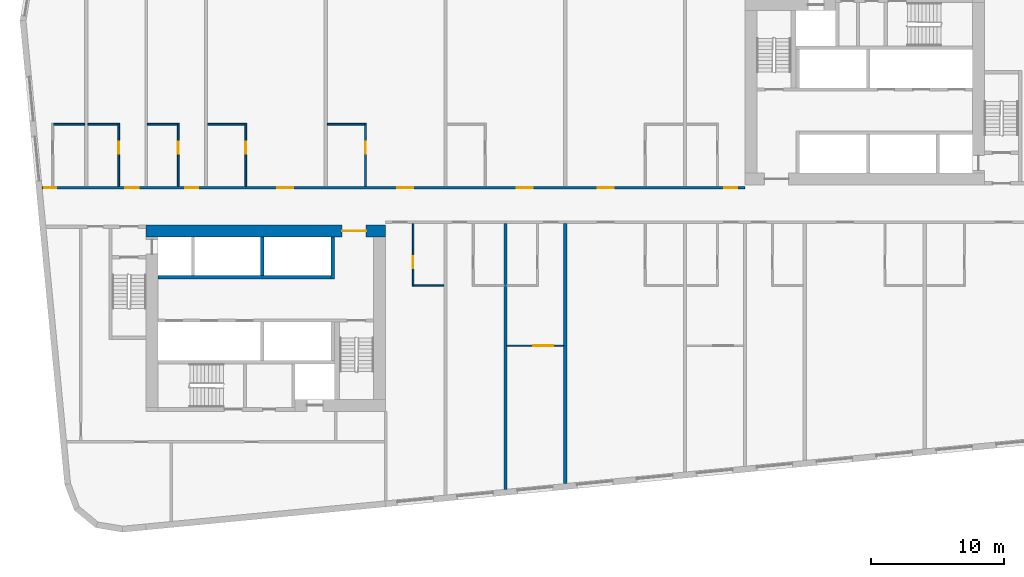
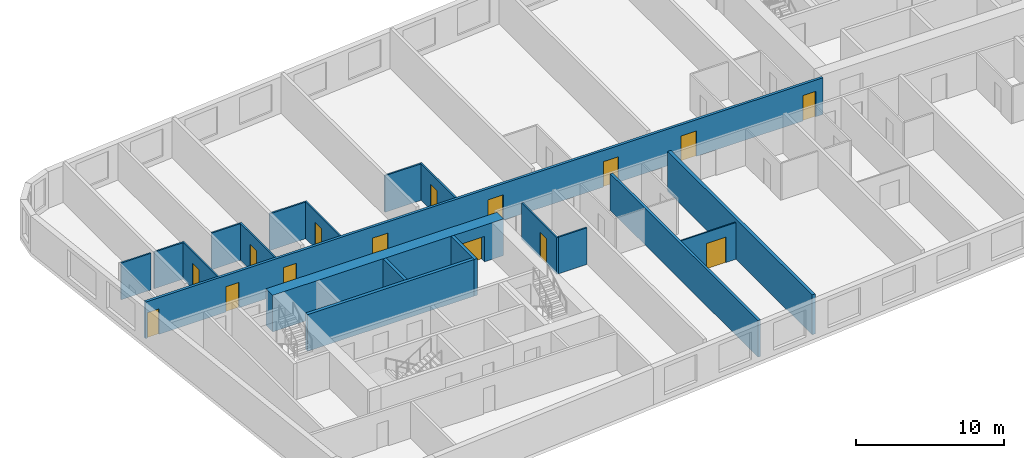
# One storey, part 3 of 12: 19 walls, 15 doors, 15 openings.
"""IFC4 building model written with IfcOpenShell, lengths in metres."""

from ifc_helpers import new_model, si_unit, direction, frame, frame_2d, origin, place, context, subcontext, project, spatial, rectangle, extrude, material, layer, layer_set, type_object, element, fill, save


model = new_model("IFC4")

# Units and contexts
model_context = context("Model", 3, precision=1e-05, world=origin(), true_north=direction((0.0, 1.0)))
body_context = subcontext(model_context, "Body", "Model", "MODEL_VIEW")
ifc_project = project(units=[si_unit("LENGTHUNIT", "METRE"), si_unit("AREAUNIT", "SQUARE_METRE"), si_unit("VOLUMEUNIT", "CUBIC_METRE"), si_unit("PLANEANGLEUNIT", "RADIAN"), si_unit("MASSUNIT", "GRAM", prefix="KILO")], contexts=[model_context])

# Site, building, storey
site_placement = place(None, origin())
site = spatial("IfcSite", under=ifc_project, at=site_placement, CompositionType="ELEMENT")
building_placement = place(site_placement, origin())
building = spatial("IfcBuilding", under=site, at=building_placement, Name="Kajstack Hotel Tower", CompositionType="ELEMENT")
storey_placement = place(building_placement, frame((0.0, 0.0, 117.39990234375)))
storey = spatial("IfcBuildingStorey", under=building, at=storey_placement, Name="L25", CompositionType="ELEMENT", Elevation=117.39990234375)

# Wall, opening, door
ifc_material_1 = material(Name="Concrete C60/75", Category="concrete")
ifc_layer_1 = layer(ifc_material_1, 0.89990234375)
ifc_layer_set_1 = layer_set([ifc_layer_1], Name="Core wall 900")
wall_type_1 = type_object("IfcWallType", Name="Core wall 900", PredefinedType="SHEAR", material=ifc_layer_set_1)
wall_1_placement = place(storey_placement, frame((-31.5, -1.949951171875, 0.0), z_axis=(0.0, 0.0, 1.0), x_axis=(1.0, 0.0, 0.0)))
wall_1 = element("IfcWall", 1, at=wall_1_placement, inside=storey, type_object=wall_type_1, Name="Core wall W RN", PredefinedType="SHEAR", context=body_context, shape_type="SweptSolid", body=[
    extrude(rectangle(XDim=18.0, YDim=0.89990234375, at=frame_2d((9.0, 0.0))), origin(), (0.0, 0.0, 1.0), 3.02001953125),
])
opening_1_placement = place(wall_1_placement, frame((14.72509765625, 0.0, 0.0)))
opening_1 = element("IfcOpeningElement", 2, at=opening_1_placement, cuts=wall_1, Name="Opening 25W06", PredefinedType="OPENING", context=body_context, shape_type="SweptSolid", body=[
    extrude(rectangle(XDim=1.800048828125, YDim=2.10009765625, at=frame_2d((0.89990234375, 1.050048828125))), frame((0.0, 0.4599609375, 0.0), z_axis=(0.0, -1.0, 0.0), x_axis=(1.0, 0.0, 0.0)), (0.0, 0.0, 1.0), 0.919921875),
])
ifc_material_2 = material(Name="Glazed steel frame, fire-rated glass", Category="steel")
door_type_1 = type_object("IfcDoorType", Name="Lobby double door 1800", OperationType="DOUBLE_DOOR_DOUBLE_SWING", PredefinedType="DOOR", material=ifc_material_2)
door_1_placement = place(opening_1_placement, origin())
door_1 = element("IfcDoor", 3, at=door_1_placement, inside=storey, type_object=door_type_1, Name="Door 25W06", OperationType="DOUBLE_DOOR_DOUBLE_SWING", OverallHeight=2.10009765625, OverallWidth=1.800048828125, PredefinedType="DOOR", context=body_context, shape_type="SweptSolid", body=[
    extrude(rectangle(XDim=1.800048828125, YDim=2.10009765625, at=frame_2d((0.89990234375, 1.050048828125))), frame((0.0, 0.02490234375, 0.0), z_axis=(0.0, -1.0, 0.0), x_axis=(1.0, 0.0, 0.0)), (0.0, 0.0, 1.0), 0.050048828125),
])
fill(opening_1, door_1)

# Wall, openings, doors
ifc_material_3 = material(Name="Gypsum board on steel studs, mineral wool", Category="steel")
ifc_layer_2 = layer(ifc_material_3, 0.199951171875)
ifc_layer_set_2 = layer_set([ifc_layer_2], Name="Corridor wall 200")
wall_type_2 = type_object("IfcWallType", Name="Corridor wall 200", PredefinedType="PARTITIONING", material=ifc_layer_set_2)
wall_2_placement = place(storey_placement, frame((-39.31591796875, 1.300048828125, 0.0), z_axis=(0.0, 0.0, 1.0), x_axis=(1.0, 0.0, 0.0)))
wall_2 = element("IfcWall", 4, at=wall_2_placement, inside=storey, type_object=wall_type_2, Name="G-wall-L25-003", PredefinedType="PARTITIONING", context=body_context, shape_type="SweptSolid", body=[
    extrude(rectangle(XDim=52.81591796875, YDim=0.199951171875, at=frame_2d((26.407958984375, 0.0))), origin(), (0.0, 0.0, 1.0), 3.02001953125),
])
opening_2_placement = place(wall_2_placement, frame((0.14990234375, 0.0, 0.0)))
opening_2 = element("IfcOpeningElement", 5, at=opening_2_placement, cuts=wall_2, Name="Opening 25001", PredefinedType="OPENING", context=body_context, shape_type="SweptSolid", body=[
    extrude(rectangle(XDim=0.89990234375, YDim=2.10009765625, at=frame_2d((0.449951171875, 1.050048828125))), frame((0.0, 0.10986328125, 0.0), z_axis=(0.0, -1.0, 0.0), x_axis=(1.0, 0.0, 0.0)), (0.0, 0.0, 1.0), 0.219970703125),
])
opening_3_placement = place(wall_2_placement, frame((6.26611328125, 0.0, 0.0)))
opening_3 = element("IfcOpeningElement", 6, at=opening_3_placement, cuts=wall_2, Name="Opening 25003", PredefinedType="OPENING", context=body_context, shape_type="SweptSolid", body=[
    extrude(rectangle(XDim=1.0, YDim=2.10009765625, at=frame_2d((0.5, 1.050048828125))), frame((0.0, 0.10986328125, 0.0), z_axis=(0.0, -1.0, 0.0), x_axis=(1.0, 0.0, 0.0)), (0.0, 0.0, 1.0), 0.219970703125),
])
opening_4_placement = place(wall_2_placement, frame((10.740966796875, 0.0, 0.0)))
opening_4 = element("IfcOpeningElement", 7, at=opening_4_placement, cuts=wall_2, Name="Opening 25005", PredefinedType="OPENING", context=body_context, shape_type="SweptSolid", body=[
    extrude(rectangle(XDim=1.0, YDim=2.10009765625, at=frame_2d((0.5, 1.050048828125))), frame((0.0, 0.10986328125, 0.0), z_axis=(0.0, -1.0, 0.0), x_axis=(1.0, 0.0, 0.0)), (0.0, 0.0, 1.0), 0.219970703125),
])
opening_5_placement = place(wall_2_placement, frame((17.677978515625, 0.0, 0.0)))
opening_5 = element("IfcOpeningElement", 8, at=opening_5_placement, cuts=wall_2, Name="Opening 25007", PredefinedType="OPENING", context=body_context, shape_type="SweptSolid", body=[
    extrude(rectangle(XDim=1.199951171875, YDim=2.10009765625, at=frame_2d((0.60009765625, 1.050048828125))), frame((0.0, 0.10986328125, 0.0), z_axis=(0.0, -1.0, 0.0), x_axis=(1.0, 0.0, 0.0)), (0.0, 0.0, 1.0), 0.219970703125),
])
opening_6_placement = place(wall_2_placement, frame((26.677978515625, 0.0, 0.0)))
opening_6 = element("IfcOpeningElement", 9, at=opening_6_placement, cuts=wall_2, Name="Opening 25009", PredefinedType="OPENING", context=body_context, shape_type="SweptSolid", body=[
    extrude(rectangle(XDim=1.199951171875, YDim=2.10009765625, at=frame_2d((0.60009765625, 1.050048828125))), frame((0.0, 0.10986328125, 0.0), z_axis=(0.0, -1.0, 0.0), x_axis=(1.0, 0.0, 0.0)), (0.0, 0.0, 1.0), 0.219970703125),
])
opening_7_placement = place(wall_2_placement, frame((35.677978515625, 0.0, 0.0)))
opening_7 = element("IfcOpeningElement", 10, at=opening_7_placement, cuts=wall_2, Name="Opening 25011", PredefinedType="OPENING", context=body_context, shape_type="SweptSolid", body=[
    extrude(rectangle(XDim=1.199951171875, YDim=2.10009765625, at=frame_2d((0.60009765625, 1.050048828125))), frame((0.0, 0.10986328125, 0.0), z_axis=(0.0, -1.0, 0.0), x_axis=(1.0, 0.0, 0.0)), (0.0, 0.0, 1.0), 0.219970703125),
])
opening_8_placement = place(wall_2_placement, frame((41.75390625, 0.0, 0.0)))
opening_8 = element("IfcOpeningElement", 11, at=opening_8_placement, cuts=wall_2, Name="Opening 25013", PredefinedType="OPENING", context=body_context, shape_type="SweptSolid", body=[
    extrude(rectangle(XDim=1.199951171875, YDim=2.10009765625, at=frame_2d((0.60009765625, 1.050048828125))), frame((0.0, 0.10986328125, 0.0), z_axis=(0.0, -1.0, 0.0), x_axis=(1.0, 0.0, 0.0)), (0.0, 0.0, 1.0), 0.219970703125),
])
opening_9_placement = place(wall_2_placement, frame((51.240966796875, 0.0, 0.0)))
opening_9 = element("IfcOpeningElement", 12, at=opening_9_placement, cuts=wall_2, Name="Opening 25015", PredefinedType="OPENING", context=body_context, shape_type="SweptSolid", body=[
    extrude(rectangle(XDim=1.0, YDim=2.10009765625, at=frame_2d((0.5, 1.050048828125))), frame((0.0, 0.10986328125, 0.0), z_axis=(0.0, -1.0, 0.0), x_axis=(1.0, 0.0, 0.0)), (0.0, 0.0, 1.0), 0.219970703125),
])
ifc_material_4 = material(Name="Oak veneer on timber core, fire-rated leaf", Category="wood")
door_type_2 = type_object("IfcDoorType", Name="Flat entrance door 1000", OperationType="SINGLE_SWING_LEFT", PredefinedType="DOOR", material=ifc_material_4)
door_2_placement = place(opening_3_placement, origin())
door_2 = element("IfcDoor", 13, at=door_2_placement, inside=storey, type_object=door_type_2, Name="G-door-L25-03", OperationType="SINGLE_SWING_LEFT", OverallHeight=2.10009765625, OverallWidth=1.0, PredefinedType="DOOR", context=body_context, shape_type="SweptSolid", body=[
    extrude(rectangle(XDim=1.0, YDim=2.10009765625, at=frame_2d((0.5, 1.050048828125))), frame((0.0, 0.02490234375, 0.0), z_axis=(0.0, -1.0, 0.0), x_axis=(1.0, 0.0, 0.0)), (0.0, 0.0, 1.0), 0.050048828125),
])
fill(opening_3, door_2)
door_3_placement = place(opening_4_placement, origin())
door_3 = element("IfcDoor", 14, at=door_3_placement, inside=storey, type_object=door_type_2, Name="G-door-L25-05", OperationType="SINGLE_SWING_RIGHT", OverallHeight=2.10009765625, OverallWidth=1.0, PredefinedType="DOOR", context=body_context, shape_type="SweptSolid", body=[
    extrude(rectangle(XDim=1.0, YDim=2.10009765625, at=frame_2d((0.5, 1.050048828125))), frame((0.0, 0.02490234375, 0.0), z_axis=(0.0, -1.0, 0.0), x_axis=(1.0, 0.0, 0.0)), (0.0, 0.0, 1.0), 0.050048828125),
])
fill(opening_4, door_3)
door_4_placement = place(opening_9_placement, origin())
door_4 = element("IfcDoor", 15, at=door_4_placement, inside=storey, type_object=door_type_2, Name="G-door-L25-15", OperationType="SINGLE_SWING_RIGHT", OverallHeight=2.10009765625, OverallWidth=1.0, PredefinedType="DOOR", context=body_context, shape_type="SweptSolid", body=[
    extrude(rectangle(XDim=1.0, YDim=2.10009765625, at=frame_2d((0.5, 1.050048828125))), frame((0.0, 0.02490234375, 0.0), z_axis=(0.0, -1.0, 0.0), x_axis=(1.0, 0.0, 0.0)), (0.0, 0.0, 1.0), 0.050048828125),
])
fill(opening_9, door_4)
door_type_3 = type_object("IfcDoorType", Name="Flat entrance door 1200", OperationType="SINGLE_SWING_LEFT", PredefinedType="DOOR", material=ifc_material_4)
door_5_placement = place(opening_5_placement, origin())
door_5 = element("IfcDoor", 16, at=door_5_placement, inside=storey, type_object=door_type_3, Name="G-door-L25-07", OperationType="SINGLE_SWING_LEFT", OverallHeight=2.10009765625, OverallWidth=1.199951171875, PredefinedType="DOOR", context=body_context, shape_type="SweptSolid", body=[
    extrude(rectangle(XDim=1.199951171875, YDim=2.10009765625, at=frame_2d((0.60009765625, 1.050048828125))), frame((0.0, 0.02490234375, 0.0), z_axis=(0.0, -1.0, 0.0), x_axis=(1.0, 0.0, 0.0)), (0.0, 0.0, 1.0), 0.050048828125),
])
fill(opening_5, door_5)
door_6_placement = place(opening_6_placement, origin())
door_6 = element("IfcDoor", 17, at=door_6_placement, inside=storey, type_object=door_type_3, Name="G-door-L25-09", OperationType="SINGLE_SWING_RIGHT", OverallHeight=2.10009765625, OverallWidth=1.199951171875, PredefinedType="DOOR", context=body_context, shape_type="SweptSolid", body=[
    extrude(rectangle(XDim=1.199951171875, YDim=2.10009765625, at=frame_2d((0.60009765625, 1.050048828125))), frame((0.0, 0.02490234375, 0.0), z_axis=(0.0, -1.0, 0.0), x_axis=(1.0, 0.0, 0.0)), (0.0, 0.0, 1.0), 0.050048828125),
])
fill(opening_6, door_6)
door_7_placement = place(opening_7_placement, origin())
door_7 = element("IfcDoor", 18, at=door_7_placement, inside=storey, type_object=door_type_3, Name="G-door-L25-11", OperationType="SINGLE_SWING_RIGHT", OverallHeight=2.10009765625, OverallWidth=1.199951171875, PredefinedType="DOOR", context=body_context, shape_type="SweptSolid", body=[
    extrude(rectangle(XDim=1.199951171875, YDim=2.10009765625, at=frame_2d((0.60009765625, 1.050048828125))), frame((0.0, 0.02490234375, 0.0), z_axis=(0.0, -1.0, 0.0), x_axis=(1.0, 0.0, 0.0)), (0.0, 0.0, 1.0), 0.050048828125),
])
fill(opening_7, door_7)
door_8_placement = place(opening_8_placement, origin())
door_8 = element("IfcDoor", 19, at=door_8_placement, inside=storey, type_object=door_type_3, Name="G-door-L25-13", OperationType="SINGLE_SWING_LEFT", OverallHeight=2.10009765625, OverallWidth=1.199951171875, PredefinedType="DOOR", context=body_context, shape_type="SweptSolid", body=[
    extrude(rectangle(XDim=1.199951171875, YDim=2.10009765625, at=frame_2d((0.60009765625, 1.050048828125))), frame((0.0, 0.02490234375, 0.0), z_axis=(0.0, -1.0, 0.0), x_axis=(1.0, 0.0, 0.0)), (0.0, 0.0, 1.0), 0.050048828125),
])
fill(opening_8, door_8)
ifc_material_5 = material(Name="Painted timber door leaf", Category="wood")
door_type_4 = type_object("IfcDoorType", Name="Room door 900", OperationType="SINGLE_SWING_LEFT", PredefinedType="DOOR", material=ifc_material_5)
door_9_placement = place(opening_2_placement, origin())
door_9 = element("IfcDoor", 20, at=door_9_placement, inside=storey, type_object=door_type_4, Name="G-door-L25-01", OperationType="SINGLE_SWING_LEFT", OverallHeight=2.10009765625, OverallWidth=0.89990234375, PredefinedType="DOOR", context=body_context, shape_type="SweptSolid", body=[
    extrude(rectangle(XDim=0.89990234375, YDim=2.10009765625, at=frame_2d((0.449951171875, 1.050048828125))), frame((0.0, 0.02490234375, 0.0), z_axis=(0.0, -1.0, 0.0), x_axis=(1.0, 0.0, 0.0)), (0.0, 0.0, 1.0), 0.050048828125),
])
fill(opening_2, door_9)

# Walls
ifc_material_6 = material(Name="Twin-frame gypsum board on steel studs, mineral wool", Category="steel")
ifc_layer_3 = layer(ifc_material_6, 0.199951171875)
ifc_layer_set_3 = layer_set([ifc_layer_3], Name="Demising wall 200")
wall_type_3 = type_object("IfcWallType", Name="Demising wall 200", PredefinedType="PARTITIONING", material=ifc_layer_set_3)
wall_3_placement = place(storey_placement, frame((-4.5, -21.365966796875, 0.0), z_axis=(0.0, 0.0, 1.0), x_axis=(0.0, 1.0, 0.0)))
element("IfcWall", 21, at=wall_3_placement, inside=storey, type_object=wall_type_3, Name="G-wall-L25-024", PredefinedType="PARTITIONING", context=body_context, shape_type="SweptSolid", body=[
    extrude(rectangle(XDim=19.966064453125, YDim=0.199951171875, at=frame_2d((9.98291015625, 0.0))), origin(), (0.0, 0.0, 1.0), 3.02001953125),
])
ifc_material_7 = material(Name="Gypsum board and tiled backer on steel studs", Category="steel")
ifc_layer_4 = layer(ifc_material_7, 0.125)
ifc_layer_set_4 = layer_set([ifc_layer_4], Name="En-suite wall 125")
wall_type_4 = type_object("IfcWallType", Name="En-suite wall 125", PredefinedType="PARTITIONING", material=ifc_layer_set_4)
wall_4_placement = place(storey_placement, frame((-38.45703125, 6.06201171875, 0.0), z_axis=(0.0, 0.0, 1.0), x_axis=(1.0, 0.0, 0.0)))
element("IfcWall", 22, at=wall_4_placement, inside=storey, type_object=wall_type_4, Name="G-wall-L25-005", PredefinedType="PARTITIONING", context=body_context, shape_type="SweptSolid", body=[
    extrude(rectangle(XDim=2.33203125, YDim=0.125, at=frame_2d((1.166015625, 0.0))), origin(), (0.0, 0.0, 1.0), 3.02001953125),
])

# Wall, opening, door
wall_5_placement = place(storey_placement, frame((-33.56201171875, 1.39990234375, 0.0), z_axis=(0.0, 0.0, 1.0), x_axis=(0.0, 1.0, 0.0)))
wall_5 = element("IfcWall", 23, at=wall_5_placement, inside=storey, type_object=wall_type_4, Name="G-wall-L25-007", PredefinedType="PARTITIONING", context=body_context, shape_type="SweptSolid", body=[
    extrude(rectangle(XDim=4.72509765625, YDim=0.125, at=frame_2d((2.362548828125, 0.0))), origin(), (0.0, 0.0, 1.0), 3.02001953125),
])
opening_10_placement = place(wall_5_placement, frame((2.449951171875, 0.0, 0.0)))
opening_10 = element("IfcOpeningElement", 24, at=opening_10_placement, cuts=wall_5, Name="Opening 25004", PredefinedType="OPENING", context=body_context, shape_type="SweptSolid", body=[
    extrude(rectangle(XDim=0.89990234375, YDim=2.10009765625, at=frame_2d((0.449951171875, 1.050048828125))), frame((0.0, 0.072509765625, 0.0), z_axis=(0.0, -1.0, 0.0), x_axis=(1.0, 0.0, 0.0)), (0.0, 0.0, 1.0), 0.14501953125),
])
door_10_placement = place(opening_10_placement, origin())
door_10 = element("IfcDoor", 25, at=door_10_placement, inside=storey, type_object=door_type_4, Name="G-door-L25-04", OperationType="SINGLE_SWING_LEFT", OverallHeight=2.10009765625, OverallWidth=0.89990234375, PredefinedType="DOOR", context=body_context, shape_type="SweptSolid", body=[
    extrude(rectangle(XDim=0.89990234375, YDim=2.10009765625, at=frame_2d((0.449951171875, 1.050048828125))), frame((0.0, 0.02490234375, 0.0), z_axis=(0.0, -1.0, 0.0), x_axis=(1.0, 0.0, 0.0)), (0.0, 0.0, 1.0), 0.050048828125),
])
fill(opening_10, door_10)

# Wall
wall_6_placement = place(storey_placement, frame((-35.875, 6.06201171875, 0.0), z_axis=(0.0, 0.0, 1.0), x_axis=(1.0, 0.0, 0.0)))
element("IfcWall", 26, at=wall_6_placement, inside=storey, type_object=wall_type_4, Name="G-wall-L25-008", PredefinedType="PARTITIONING", context=body_context, shape_type="SweptSolid", body=[
    extrude(rectangle(XDim=2.25, YDim=0.125, at=frame_2d((1.125, 0.0))), origin(), (0.0, 0.0, 1.0), 3.02001953125),
])

# Wall, opening, door
wall_7_placement = place(storey_placement, frame((-29.0869140625, 1.39990234375, 0.0), z_axis=(0.0, 0.0, 1.0), x_axis=(0.0, 1.0, 0.0)))
wall_7 = element("IfcWall", 27, at=wall_7_placement, inside=storey, type_object=wall_type_4, Name="G-wall-L25-009", PredefinedType="PARTITIONING", context=body_context, shape_type="SweptSolid", body=[
    extrude(rectangle(XDim=4.72509765625, YDim=0.125, at=frame_2d((2.362548828125, 0.0))), origin(), (0.0, 0.0, 1.0), 3.02001953125),
])
opening_11_placement = place(wall_7_placement, frame((2.449951171875, 0.0, 0.0)))
opening_11 = element("IfcOpeningElement", 28, at=opening_11_placement, cuts=wall_7, Name="Opening 25006", PredefinedType="OPENING", context=body_context, shape_type="SweptSolid", body=[
    extrude(rectangle(XDim=0.89990234375, YDim=2.10009765625, at=frame_2d((0.449951171875, 1.050048828125))), frame((0.0, 0.072509765625, 0.0), z_axis=(0.0, -1.0, 0.0), x_axis=(1.0, 0.0, 0.0)), (0.0, 0.0, 1.0), 0.14501953125),
])
door_11_placement = place(opening_11_placement, origin())
door_11 = element("IfcDoor", 29, at=door_11_placement, inside=storey, type_object=door_type_4, Name="G-door-L25-06", OperationType="SINGLE_SWING_LEFT", OverallHeight=2.10009765625, OverallWidth=0.89990234375, PredefinedType="DOOR", context=body_context, shape_type="SweptSolid", body=[
    extrude(rectangle(XDim=0.89990234375, YDim=2.10009765625, at=frame_2d((0.449951171875, 1.050048828125))), frame((0.0, 0.02490234375, 0.0), z_axis=(0.0, -1.0, 0.0), x_axis=(1.0, 0.0, 0.0)), (0.0, 0.0, 1.0), 0.050048828125),
])
fill(opening_11, door_11)

# Wall
wall_8_placement = place(storey_placement, frame((-31.39990234375, 6.06201171875, 0.0), z_axis=(0.0, 0.0, 1.0), x_axis=(1.0, 0.0, 0.0)))
element("IfcWall", 30, at=wall_8_placement, inside=storey, type_object=wall_type_4, Name="G-wall-L25-010", PredefinedType="PARTITIONING", context=body_context, shape_type="SweptSolid", body=[
    extrude(rectangle(XDim=2.25, YDim=0.125, at=frame_2d((1.125, 0.0))), origin(), (0.0, 0.0, 1.0), 3.02001953125),
])

# Wall, opening, door
wall_9_placement = place(storey_placement, frame((-24.011962890625, 1.39990234375, 0.0), z_axis=(0.0, 0.0, 1.0), x_axis=(0.0, 1.0, 0.0)))
wall_9 = element("IfcWall", 31, at=wall_9_placement, inside=storey, type_object=wall_type_4, Name="G-wall-L25-011", PredefinedType="PARTITIONING", context=body_context, shape_type="SweptSolid", body=[
    extrude(rectangle(XDim=4.72509765625, YDim=0.125, at=frame_2d((2.362548828125, 0.0))), origin(), (0.0, 0.0, 1.0), 3.02001953125),
])
opening_12_placement = place(wall_9_placement, frame((2.449951171875, 0.0, 0.0)))
opening_12 = element("IfcOpeningElement", 32, at=opening_12_placement, cuts=wall_9, Name="Opening 25008", PredefinedType="OPENING", context=body_context, shape_type="SweptSolid", body=[
    extrude(rectangle(XDim=0.89990234375, YDim=2.10009765625, at=frame_2d((0.449951171875, 1.050048828125))), frame((0.0, 0.072509765625, 0.0), z_axis=(0.0, -1.0, 0.0), x_axis=(1.0, 0.0, 0.0)), (0.0, 0.0, 1.0), 0.14501953125),
])
door_12_placement = place(opening_12_placement, origin())
door_12 = element("IfcDoor", 33, at=door_12_placement, inside=storey, type_object=door_type_4, Name="G-door-L25-08", OperationType="SINGLE_SWING_RIGHT", OverallHeight=2.10009765625, OverallWidth=0.89990234375, PredefinedType="DOOR", context=body_context, shape_type="SweptSolid", body=[
    extrude(rectangle(XDim=0.89990234375, YDim=2.10009765625, at=frame_2d((0.449951171875, 1.050048828125))), frame((0.0, 0.02490234375, 0.0), z_axis=(0.0, -1.0, 0.0), x_axis=(1.0, 0.0, 0.0)), (0.0, 0.0, 1.0), 0.050048828125),
])
fill(opening_12, door_12)

# Wall
wall_10_placement = place(storey_placement, frame((-26.875, 6.06201171875, 0.0), z_axis=(0.0, 0.0, 1.0), x_axis=(1.0, 0.0, 0.0)))
element("IfcWall", 34, at=wall_10_placement, inside=storey, type_object=wall_type_4, Name="G-wall-L25-012", PredefinedType="PARTITIONING", context=body_context, shape_type="SweptSolid", body=[
    extrude(rectangle(XDim=2.800048828125, YDim=0.125, at=frame_2d((1.39990234375, 0.0))), origin(), (0.0, 0.0, 1.0), 3.02001953125),
])

# Wall, opening, door
wall_11_placement = place(storey_placement, frame((-15.011962890625, 1.39990234375, 0.0), z_axis=(0.0, 0.0, 1.0), x_axis=(0.0, 1.0, 0.0)))
wall_11 = element("IfcWall", 35, at=wall_11_placement, inside=storey, type_object=wall_type_4, Name="G-wall-L25-013", PredefinedType="PARTITIONING", context=body_context, shape_type="SweptSolid", body=[
    extrude(rectangle(XDim=4.72509765625, YDim=0.125, at=frame_2d((2.362548828125, 0.0))), origin(), (0.0, 0.0, 1.0), 3.02001953125),
])
opening_13_placement = place(wall_11_placement, frame((2.449951171875, 0.0, 0.0)))
opening_13 = element("IfcOpeningElement", 36, at=opening_13_placement, cuts=wall_11, Name="Opening 25010", PredefinedType="OPENING", context=body_context, shape_type="SweptSolid", body=[
    extrude(rectangle(XDim=0.89990234375, YDim=2.10009765625, at=frame_2d((0.449951171875, 1.050048828125))), frame((0.0, 0.072509765625, 0.0), z_axis=(0.0, -1.0, 0.0), x_axis=(1.0, 0.0, 0.0)), (0.0, 0.0, 1.0), 0.14501953125),
])
door_13_placement = place(opening_13_placement, origin())
door_13 = element("IfcDoor", 37, at=door_13_placement, inside=storey, type_object=door_type_4, Name="G-door-L25-10", OperationType="SINGLE_SWING_RIGHT", OverallHeight=2.10009765625, OverallWidth=0.89990234375, PredefinedType="DOOR", context=body_context, shape_type="SweptSolid", body=[
    extrude(rectangle(XDim=0.89990234375, YDim=2.10009765625, at=frame_2d((0.449951171875, 1.050048828125))), frame((0.0, 0.02490234375, 0.0), z_axis=(0.0, -1.0, 0.0), x_axis=(1.0, 0.0, 0.0)), (0.0, 0.0, 1.0), 0.050048828125),
])
fill(opening_13, door_13)

# Wall
wall_12_placement = place(storey_placement, frame((-17.875, 6.06201171875, 0.0), z_axis=(0.0, 0.0, 1.0), x_axis=(1.0, 0.0, 0.0)))
element("IfcWall", 38, at=wall_12_placement, inside=storey, type_object=wall_type_4, Name="G-wall-L25-014", PredefinedType="PARTITIONING", context=body_context, shape_type="SweptSolid", body=[
    extrude(rectangle(XDim=2.800048828125, YDim=0.125, at=frame_2d((1.39990234375, 0.0))), origin(), (0.0, 0.0, 1.0), 3.02001953125),
])

# Wall, opening, door
wall_13_placement = place(storey_placement, frame((-11.43798828125, -6.125, 0.0), z_axis=(0.0, 0.0, 1.0), x_axis=(0.0, 1.0, 0.0)))
wall_13 = element("IfcWall", 39, at=wall_13_placement, inside=storey, type_object=wall_type_4, Name="G-wall-L25-022", PredefinedType="PARTITIONING", context=body_context, shape_type="SweptSolid", body=[
    extrude(rectangle(XDim=4.72509765625, YDim=0.125, at=frame_2d((2.362548828125, 0.0))), origin(), (0.0, 0.0, 1.0), 3.02001953125),
])
opening_14_placement = place(wall_13_placement, frame((1.375, 0.0, 0.0)))
opening_14 = element("IfcOpeningElement", 40, at=opening_14_placement, cuts=wall_13, Name="Opening 25018", PredefinedType="OPENING", context=body_context, shape_type="SweptSolid", body=[
    extrude(rectangle(XDim=0.89990234375, YDim=2.10009765625, at=frame_2d((0.449951171875, 1.050048828125))), frame((0.0, 0.072509765625, 0.0), z_axis=(0.0, -1.0, 0.0), x_axis=(1.0, 0.0, 0.0)), (0.0, 0.0, 1.0), 0.14501953125),
])
door_14_placement = place(opening_14_placement, origin())
door_14 = element("IfcDoor", 41, at=door_14_placement, inside=storey, type_object=door_type_4, Name="G-door-L25-18", OperationType="SINGLE_SWING_RIGHT", OverallHeight=2.10009765625, OverallWidth=0.89990234375, PredefinedType="DOOR", context=body_context, shape_type="SweptSolid", body=[
    extrude(rectangle(XDim=0.89990234375, YDim=2.10009765625, at=frame_2d((0.449951171875, 1.050048828125))), frame((0.0, 0.02490234375, 0.0), z_axis=(0.0, -1.0, 0.0), x_axis=(1.0, 0.0, 0.0)), (0.0, 0.0, 1.0), 0.050048828125),
])
fill(opening_14, door_14)

# Walls
wall_14_placement = place(storey_placement, frame((-11.375, -6.06201171875, 0.0), z_axis=(0.0, 0.0, 1.0), x_axis=(1.0, 0.0, 0.0)))
element("IfcWall", 42, at=wall_14_placement, inside=storey, type_object=wall_type_4, Name="G-wall-L25-023", PredefinedType="PARTITIONING", context=body_context, shape_type="SweptSolid", body=[
    extrude(rectangle(XDim=2.25, YDim=0.125, at=frame_2d((1.125, 0.0))), origin(), (0.0, 0.0, 1.0), 3.02001953125),
])
ifc_material_8 = material(Name="Concrete C50/60", Category="concrete")
ifc_layer_5 = layer(ifc_material_8, 0.300048828125)
ifc_layer_set_5 = layer_set([ifc_layer_5], Name="Hoistway divider wall 300")
wall_type_5 = type_object("IfcWallType", Name="Hoistway divider wall 300", PredefinedType="SHEAR", material=ifc_layer_set_5)
wall_15_placement = place(storey_placement, frame((-22.77490234375, -5.300048828125, 0.0), z_axis=(0.0, 0.0, 1.0), x_axis=(0.0, 1.0, 0.0)))
element("IfcWall", 43, at=wall_15_placement, inside=storey, type_object=wall_type_5, Name="Core wall W AP2", PredefinedType="SHEAR", context=body_context, shape_type="SweptSolid", body=[
    extrude(rectangle(XDim=2.900146484375, YDim=0.25, at=frame_2d((1.4501953125, 0.0))), origin(), (0.0, 0.0, 1.0), 3.02001953125),
])

# Wall, opening, door
ifc_material_9 = material(Name="Gypsum board on steel studs", Category="steel")
ifc_layer_6 = layer(ifc_material_9, 0.10009765625)
ifc_layer_set_6 = layer_set([ifc_layer_6], Name="Partition 100")
wall_type_6 = type_object("IfcWallType", Name="Partition 100", PredefinedType="PARTITIONING", material=ifc_layer_set_6)
wall_16_placement = place(storey_placement, frame((-4.39990234375, -10.574951171875, 0.0), z_axis=(0.0, 0.0, 1.0), x_axis=(1.0, 0.0, 0.0)))
wall_16 = element("IfcWall", 44, at=wall_16_placement, inside=storey, type_object=wall_type_6, Name="G-wall-L25-029", PredefinedType="PARTITIONING", context=body_context, shape_type="SweptSolid", body=[
    extrude(rectangle(XDim=4.27490234375, YDim=0.10009765625, at=frame_2d((2.137451171875, 0.0))), origin(), (0.0, 0.0, 1.0), 3.02001953125),
])
opening_15_placement = place(wall_16_placement, frame((1.988037109375, 0.0, 0.0)))
opening_15 = element("IfcOpeningElement", 45, at=opening_15_placement, cuts=wall_16, Name="Opening 25023", PredefinedType="OPENING", context=body_context, shape_type="SweptSolid", body=[
    extrude(rectangle(XDim=1.5, YDim=2.10009765625, at=frame_2d((0.75, 1.050048828125))), frame((0.0, 0.06005859375, 0.0), z_axis=(0.0, -1.0, 0.0), x_axis=(1.0, 0.0, 0.0)), (0.0, 0.0, 1.0), 0.1201171875),
])
ifc_material_10 = material(Name="Painted timber door leaves, glazed panels", Category="wood")
door_type_5 = type_object("IfcDoorType", Name="Double door 1500", OperationType="SINGLE_SWING_LEFT", PredefinedType="DOOR", material=ifc_material_10)
door_15_placement = place(opening_15_placement, origin())
door_15 = element("IfcDoor", 46, at=door_15_placement, inside=storey, type_object=door_type_5, Name="G-door-L25-23", OperationType="SINGLE_SWING_RIGHT", OverallHeight=2.10009765625, OverallWidth=1.5, PredefinedType="DOOR", context=body_context, shape_type="SweptSolid", body=[
    extrude(rectangle(XDim=1.5, YDim=2.10009765625, at=frame_2d((0.75, 1.050048828125))), frame((0.0, 0.02490234375, 0.0), z_axis=(0.0, -1.0, 0.0), x_axis=(1.0, 0.0, 0.0)), (0.0, 0.0, 1.0), 0.050048828125),
])
fill(opening_15, door_15)

# Walls
ifc_material_11 = material(Name="Concrete C55/67", Category="concrete")
ifc_layer_7 = layer(ifc_material_11, 0.25)
ifc_layer_set_7 = layer_set([ifc_layer_7], Name="RC cross wall 250 C55/67")
wall_type_7 = type_object("IfcWallType", Name="RC cross wall 250 C55/67", PredefinedType="SHEAR", material=ifc_layer_set_7)
wall_17_placement = place(storey_placement, frame((0.0, -20.910400390625, 0.0), z_axis=(0.0, 0.0, 1.0), x_axis=(0.0, 1.0, 0.0)))
element("IfcWall", 47, at=wall_17_placement, inside=storey, type_object=wall_type_7, Name="S-wall-L25-06", PredefinedType="SHEAR", context=body_context, shape_type="SweptSolid", body=[
    extrude(rectangle(XDim=19.510498046875, YDim=0.25, at=frame_2d((9.75537109375, 0.0))), origin(), (0.0, 0.0, 1.0), 3.300048828125),
])
ifc_layer_8 = layer(ifc_material_8, 0.25)
ifc_layer_set_8 = layer_set([ifc_layer_8], Name="Shaft wall 250")
wall_type_8 = type_object("IfcWallType", Name="Shaft wall 250", PredefinedType="SHEAR", material=ifc_layer_set_8)
wall_18_placement = place(storey_placement, frame((-30.60009765625, -5.425048828125, 0.0), z_axis=(0.0, 0.0, 1.0), x_axis=(1.0, 0.0, 0.0)))
element("IfcWall", 48, at=wall_18_placement, inside=storey, type_object=wall_type_8, Name="Core wall W FA", PredefinedType="SHEAR", context=body_context, shape_type="SweptSolid", body=[
    extrude(rectangle(XDim=13.0, YDim=0.25, at=frame_2d((6.5, 0.0))), origin(), (0.0, 0.0, 1.0), 3.02001953125),
])
wall_19_placement = place(storey_placement, frame((-17.47509765625, -5.550048828125, 0.0), z_axis=(0.0, 0.0, 1.0), x_axis=(0.0, 1.0, 0.0)))
element("IfcWall", 49, at=wall_19_placement, inside=storey, type_object=wall_type_8, Name="Core wall W AE", PredefinedType="SHEAR", context=body_context, shape_type="SweptSolid", body=[
    extrude(rectangle(XDim=3.150146484375, YDim=0.25, at=frame_2d((1.5751953125, 0.0))), origin(), (0.0, 0.0, 1.0), 3.02001953125),
])

save(model, "model.ifc")
